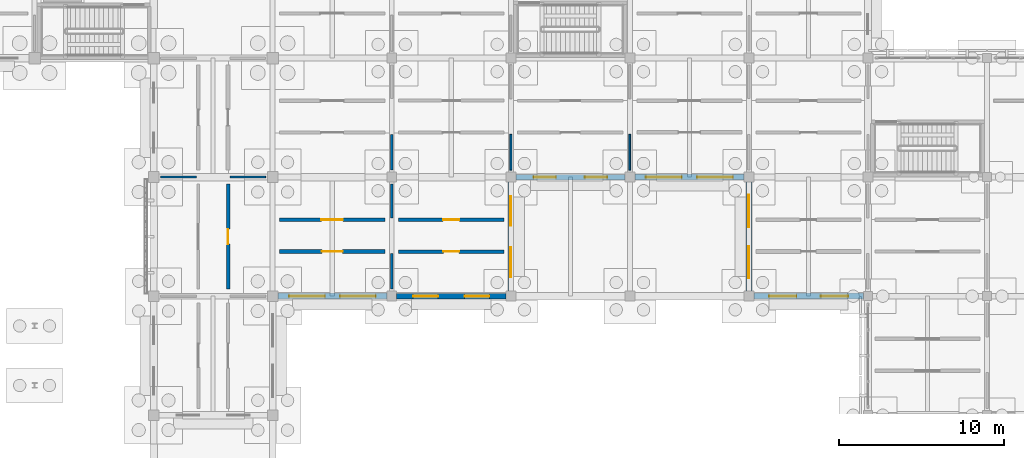
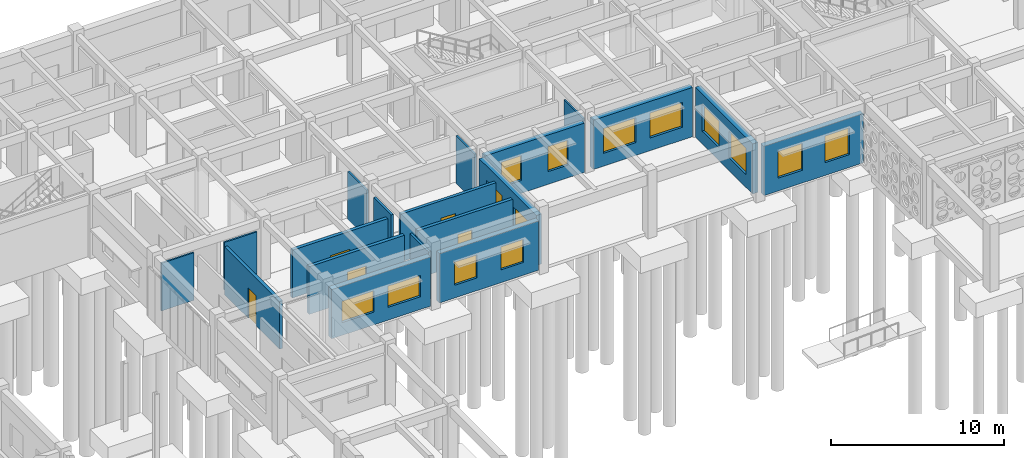
# One storey, part 67 of 111: 19 walls, 14 windows, 5 doors, 19 openings.
"""IFC4 building model written with IfcOpenShell, lengths in metres."""

from ifc_helpers import new_model, si_unit, direction, frame, frame_2d, origin, place, context, subcontext, project, spatial, rectangle, extrude, material, layer, layer_set, type_object, element, fill, save


model = new_model("IFC4")

# Units and contexts
model_context = context("Model", 3, precision=1e-05, world=origin(), true_north=direction((0.0, 1.0)))
body_context = subcontext(model_context, "Body", "Model", "MODEL_VIEW")
ifc_project = project(units=[si_unit("LENGTHUNIT", "METRE"), si_unit("AREAUNIT", "SQUARE_METRE"), si_unit("VOLUMEUNIT", "CUBIC_METRE"), si_unit("PLANEANGLEUNIT", "RADIAN"), si_unit("MASSUNIT", "GRAM", prefix="KILO")], contexts=[model_context])

# Site, building, storey
site_placement = place(None, origin())
site = spatial("IfcSite", under=ifc_project, at=site_placement, CompositionType="ELEMENT")
building_placement = place(site_placement, origin())
building = spatial("IfcBuilding", under=site, at=building_placement, Name="Aldebral Square Health Centre", CompositionType="ELEMENT")
storey_placement = place(building_placement, origin())
storey = spatial("IfcBuildingStorey", under=building, at=storey_placement, Name="L00", CompositionType="ELEMENT", Elevation=0.0)

# Wall, openings, windows
ifc_material_1 = material(Name="Cream cantera stone and concrete wall C35/45", Category="masonry")
ifc_layer_1 = layer(ifc_material_1, 0.340087890625, Name="Cream cantera stone and concrete wall C35/45", Category="masonry")
ifc_layer_set_1 = layer_set([ifc_layer_1], Name="Cream cantera stone and concrete wall C35/45")
wall_type_1 = type_object("IfcWallType", Name="EW-CAN-340", PredefinedType="SOLIDWALL", material=ifc_layer_set_1)
wall_1_placement = place(storey_placement, frame((36.300048828125, 86.39990234375, 0.0), z_axis=(0.0, 0.0, 1.0), x_axis=(1.0, 0.0, 0.0)))
wall_1 = element("IfcWall", 1, at=wall_1_placement, inside=storey, type_object=wall_type_1, Name="L00 V2 exterior wall L00-V2-05-12-S", PredefinedType="SOLIDWALL", context=body_context, shape_type="SweptSolid", body=[
    extrude(rectangle(XDim=6.599853515625, YDim=0.340087890625, at=frame_2d((3.2998046875, 0.0))), origin(), (0.0, 0.0, 1.0), 3.469970703125),
])
opening_1_placement = place(wall_1_placement, frame((1.0, 0.0, 0.89990234375)))
opening_1 = element("IfcOpeningElement", 2, at=opening_1_placement, cuts=wall_1, Name="Opening W32", PredefinedType="OPENING", context=body_context, shape_type="SweptSolid", body=[
    extrude(rectangle(XDim=1.5, YDim=1.6201171875, at=frame_2d((0.75, 0.81005859375))), frame((0.0, 0.18017578125, 0.0), z_axis=(0.0, -1.0, 0.0), x_axis=(1.0, 0.0, 0.0)), (0.0, 0.0, 1.0), 0.360107421875),
])
opening_2_placement = place(wall_1_placement, frame((4.10009765625, 0.0, 0.89990234375)))
opening_2 = element("IfcOpeningElement", 3, at=opening_2_placement, cuts=wall_1, Name="Opening W32", PredefinedType="OPENING", context=body_context, shape_type="SweptSolid", body=[
    extrude(rectangle(XDim=1.5, YDim=1.6201171875, at=frame_2d((0.75, 0.81005859375))), frame((0.0, 0.18017578125, 0.0), z_axis=(0.0, -1.0, 0.0), x_axis=(1.0, 0.0, 0.0)), (0.0, 0.0, 1.0), 0.360107421875),
])
ifc_material_2 = material(Name="Thermally broken aluminium and low-E glass", Category="aluminium")
window_type_1 = type_object("IfcWindowType", Name="WIN-W32", PartitioningType="SINGLE_PANEL", PredefinedType="WINDOW", material=ifc_material_2)
window_1_placement = place(opening_1_placement, origin())
window_1 = element("IfcWindow", 4, at=window_1_placement, inside=storey, type_object=window_type_1, Name="L00 clinical window L00-V2-05-12-S.1", OverallHeight=1.6201171875, OverallWidth=1.5, PartitioningType="SINGLE_PANEL", PredefinedType="WINDOW", context=body_context, shape_type="SweptSolid", body=[
    extrude(rectangle(XDim=1.5, YDim=1.6201171875, at=frame_2d((0.75, 0.81005859375))), frame((0.0, 0.030029296875, 0.0), z_axis=(0.0, -1.0, 0.0), x_axis=(1.0, 0.0, 0.0)), (0.0, 0.0, 1.0), 0.06005859375),
])
fill(opening_1, window_1)
window_2_placement = place(opening_2_placement, origin())
window_2 = element("IfcWindow", 5, at=window_2_placement, inside=storey, type_object=window_type_1, Name="L00 clinical window L00-V2-05-12-S.2", OverallHeight=1.6201171875, OverallWidth=1.5, PartitioningType="SINGLE_PANEL", PredefinedType="WINDOW", context=body_context, shape_type="SweptSolid", body=[
    extrude(rectangle(XDim=1.5, YDim=1.6201171875, at=frame_2d((0.75, 0.81005859375))), frame((0.0, 0.030029296875, 0.0), z_axis=(0.0, -1.0, 0.0), x_axis=(1.0, 0.0, 0.0)), (0.0, 0.0, 1.0), 0.06005859375),
])
fill(opening_2, window_2)

wall_2_placement = place(storey_placement, frame((43.199951171875, 86.699951171875, 0.0), z_axis=(0.0, 0.0, 1.0), x_axis=(0.0, 1.0, 0.0)))
wall_2 = element("IfcWall", 6, at=wall_2_placement, inside=storey, type_object=wall_type_1, Name="L00 V2 exterior wall L00-V2-05-12-E", PredefinedType="SOLIDWALL", context=body_context, shape_type="SweptSolid", body=[
    extrude(rectangle(XDim=6.60009765625, YDim=0.340087890625, at=frame_2d((3.300048828125, 0.0))), origin(), (0.0, 0.0, 1.0), 3.52001953125),
])
opening_3_placement = place(wall_2_placement, frame((0.85009765625, 0.0, 0.89990234375)))
opening_3 = element("IfcOpeningElement", 7, at=opening_3_placement, cuts=wall_2, Name="Opening W34", PredefinedType="OPENING", context=body_context, shape_type="SweptSolid", body=[
    extrude(rectangle(XDim=1.800048828125, YDim=1.6201171875, at=frame_2d((0.89990234375, 0.81005859375))), frame((0.0, 0.18017578125, 0.0), z_axis=(0.0, -1.0, 0.0), x_axis=(1.0, 0.0, 0.0)), (0.0, 0.0, 1.0), 0.360107421875),
])
opening_4_placement = place(wall_2_placement, frame((3.949951171875, 0.0, 0.89990234375)))
opening_4 = element("IfcOpeningElement", 8, at=opening_4_placement, cuts=wall_2, Name="Opening W34", PredefinedType="OPENING", context=body_context, shape_type="SweptSolid", body=[
    extrude(rectangle(XDim=1.800048828125, YDim=1.6201171875, at=frame_2d((0.89990234375, 0.81005859375))), frame((0.0, 0.18017578125, 0.0), z_axis=(0.0, -1.0, 0.0), x_axis=(1.0, 0.0, 0.0)), (0.0, 0.0, 1.0), 0.360107421875),
])
window_type_2 = type_object("IfcWindowType", Name="WIN-W34", PartitioningType="SINGLE_PANEL", PredefinedType="WINDOW", material=ifc_material_2)
window_3_placement = place(opening_3_placement, origin())
window_3 = element("IfcWindow", 9, at=window_3_placement, inside=storey, type_object=window_type_2, Name="L00 clinical window L00-V2-05-12-E.1", OverallHeight=1.6201171875, OverallWidth=1.800048828125, PartitioningType="SINGLE_PANEL", PredefinedType="WINDOW", context=body_context, shape_type="SweptSolid", body=[
    extrude(rectangle(XDim=1.800048828125, YDim=1.6201171875, at=frame_2d((0.89990234375, 0.81005859375))), frame((0.0, 0.030029296875, 0.0), z_axis=(0.0, -1.0, 0.0), x_axis=(1.0, 0.0, 0.0)), (0.0, 0.0, 1.0), 0.06005859375),
])
fill(opening_3, window_3)
window_4_placement = place(opening_4_placement, origin())
window_4 = element("IfcWindow", 10, at=window_4_placement, inside=storey, type_object=window_type_2, Name="L00 clinical window L00-V2-05-12-E.2", OverallHeight=1.6201171875, OverallWidth=1.800048828125, PartitioningType="SINGLE_PANEL", PredefinedType="WINDOW", context=body_context, shape_type="SweptSolid", body=[
    extrude(rectangle(XDim=1.800048828125, YDim=1.6201171875, at=frame_2d((0.89990234375, 0.81005859375))), frame((0.0, 0.030029296875, 0.0), z_axis=(0.0, -1.0, 0.0), x_axis=(1.0, 0.0, 0.0)), (0.0, 0.0, 1.0), 0.06005859375),
])
fill(opening_4, window_4)

wall_3_placement = place(storey_placement, frame((43.5, 93.60009765625, 0.0), z_axis=(0.0, 0.0, 1.0), x_axis=(1.0, 0.0, 0.0)))
wall_3 = element("IfcWall", 11, at=wall_3_placement, inside=storey, type_object=wall_type_1, Name="L00 V2 exterior wall L00-V2-06-13-S", PredefinedType="SOLIDWALL", context=body_context, shape_type="SweptSolid", body=[
    extrude(rectangle(XDim=6.60009765625, YDim=0.340087890625, at=frame_2d((3.300048828125, 0.0))), origin(), (0.0, 0.0, 1.0), 3.469970703125),
])
opening_5_placement = place(wall_3_placement, frame((1.074951171875, 0.0, 0.89990234375)))
opening_5 = element("IfcOpeningElement", 12, at=opening_5_placement, cuts=wall_3, Name="Opening W40", PredefinedType="OPENING", context=body_context, shape_type="SweptSolid", body=[
    extrude(rectangle(XDim=1.35009765625, YDim=1.75, at=frame_2d((0.675048828125, 0.875))), frame((0.0, 0.18017578125, 0.0), z_axis=(0.0, -1.0, 0.0), x_axis=(1.0, 0.0, 0.0)), (0.0, 0.0, 1.0), 0.360107421875),
])
opening_6_placement = place(wall_3_placement, frame((4.175048828125, 0.0, 0.89990234375)))
opening_6 = element("IfcOpeningElement", 13, at=opening_6_placement, cuts=wall_3, Name="Opening W40", PredefinedType="OPENING", context=body_context, shape_type="SweptSolid", body=[
    extrude(rectangle(XDim=1.35009765625, YDim=1.75, at=frame_2d((0.675048828125, 0.875))), frame((0.0, 0.18017578125, 0.0), z_axis=(0.0, -1.0, 0.0), x_axis=(1.0, 0.0, 0.0)), (0.0, 0.0, 1.0), 0.360107421875),
])
window_type_3 = type_object("IfcWindowType", Name="WIN-W40", PartitioningType="SINGLE_PANEL", PredefinedType="WINDOW", material=ifc_material_2)
window_5_placement = place(opening_5_placement, origin())
window_5 = element("IfcWindow", 14, at=window_5_placement, inside=storey, type_object=window_type_3, Name="L00 clinical window L00-V2-06-13-S.1", OverallHeight=1.75, OverallWidth=1.35009765625, PartitioningType="SINGLE_PANEL", PredefinedType="WINDOW", context=body_context, shape_type="SweptSolid", body=[
    extrude(rectangle(XDim=1.35009765625, YDim=1.75, at=frame_2d((0.675048828125, 0.875))), frame((0.0, 0.030029296875, 0.0), z_axis=(0.0, -1.0, 0.0), x_axis=(1.0, 0.0, 0.0)), (0.0, 0.0, 1.0), 0.06005859375),
])
fill(opening_5, window_5)
window_6_placement = place(opening_6_placement, origin())
window_6 = element("IfcWindow", 15, at=window_6_placement, inside=storey, type_object=window_type_3, Name="L00 clinical window L00-V2-06-13-S.2", OverallHeight=1.75, OverallWidth=1.35009765625, PartitioningType="SINGLE_PANEL", PredefinedType="WINDOW", context=body_context, shape_type="SweptSolid", body=[
    extrude(rectangle(XDim=1.35009765625, YDim=1.75, at=frame_2d((0.675048828125, 0.875))), frame((0.0, 0.030029296875, 0.0), z_axis=(0.0, -1.0, 0.0), x_axis=(1.0, 0.0, 0.0)), (0.0, 0.0, 1.0), 0.06005859375),
])
fill(opening_6, window_6)

ifc_layer_2 = layer(ifc_material_1, 0.360107421875, Name="Cream cantera stone and concrete wall C35/45", Category="masonry")
ifc_layer_set_2 = layer_set([ifc_layer_2], Name="Cream cantera stone and concrete wall C35/45")
wall_type_2 = type_object("IfcWallType", Name="EW-CAN-360", PredefinedType="SOLIDWALL", material=ifc_layer_set_2)
wall_4_placement = place(storey_placement, frame((29.125, 86.39990234375, 0.0), z_axis=(0.0, 0.0, 1.0), x_axis=(1.0, 0.0, 0.0)))
wall_4 = element("IfcWall", 16, at=wall_4_placement, inside=storey, type_object=wall_type_2, Name="L00 V2 exterior wall L00-V2-04-12-S", PredefinedType="SOLIDWALL", context=body_context, shape_type="SweptSolid", body=[
    extrude(rectangle(XDim=6.574951171875, YDim=0.360107421875, at=frame_2d((3.28759765625, 0.0))), origin(), (0.0, 0.0, 1.0), 3.469970703125),
])
opening_7_placement = place(wall_4_placement, frame((0.675048828125, 0.0, 0.89990234375)))
opening_7 = element("IfcOpeningElement", 17, at=opening_7_placement, cuts=wall_4, Name="Opening W27", PredefinedType="OPENING", context=body_context, shape_type="SweptSolid", body=[
    extrude(rectangle(XDim=2.14990234375, YDim=1.5, at=frame_2d((1.074951171875, 0.75))), frame((0.0, 0.18994140625, 0.0), z_axis=(0.0, -1.0, 0.0), x_axis=(1.0, 0.0, 0.0)), (0.0, 0.0, 1.0), 0.380126953125),
])
opening_8_placement = place(wall_4_placement, frame((3.75, 0.0, 0.89990234375)))
opening_8 = element("IfcOpeningElement", 18, at=opening_8_placement, cuts=wall_4, Name="Opening W27", PredefinedType="OPENING", context=body_context, shape_type="SweptSolid", body=[
    extrude(rectangle(XDim=2.14990234375, YDim=1.5, at=frame_2d((1.074951171875, 0.75))), frame((0.0, 0.18994140625, 0.0), z_axis=(0.0, -1.0, 0.0), x_axis=(1.0, 0.0, 0.0)), (0.0, 0.0, 1.0), 0.380126953125),
])
window_type_4 = type_object("IfcWindowType", Name="WIN-W27", PartitioningType="SINGLE_PANEL", PredefinedType="WINDOW", material=ifc_material_2)
window_7_placement = place(opening_7_placement, origin())
window_7 = element("IfcWindow", 19, at=window_7_placement, inside=storey, type_object=window_type_4, Name="L00 clinical window L00-V2-04-12-S.1", OverallHeight=1.5, OverallWidth=2.14990234375, PartitioningType="SINGLE_PANEL", PredefinedType="WINDOW", context=body_context, shape_type="SweptSolid", body=[
    extrude(rectangle(XDim=2.14990234375, YDim=1.5, at=frame_2d((1.074951171875, 0.75))), frame((0.0, 0.030029296875, 0.0), z_axis=(0.0, -1.0, 0.0), x_axis=(1.0, 0.0, 0.0)), (0.0, 0.0, 1.0), 0.06005859375),
])
fill(opening_7, window_7)
window_8_placement = place(opening_8_placement, origin())
window_8 = element("IfcWindow", 20, at=window_8_placement, inside=storey, type_object=window_type_4, Name="L00 clinical window L00-V2-04-12-S.2", OverallHeight=1.5, OverallWidth=2.14990234375, PartitioningType="SINGLE_PANEL", PredefinedType="WINDOW", context=body_context, shape_type="SweptSolid", body=[
    extrude(rectangle(XDim=2.14990234375, YDim=1.5, at=frame_2d((1.074951171875, 0.75))), frame((0.0, 0.030029296875, 0.0), z_axis=(0.0, -1.0, 0.0), x_axis=(1.0, 0.0, 0.0)), (0.0, 0.0, 1.0), 0.06005859375),
])
fill(opening_8, window_8)

wall_5_placement = place(storey_placement, frame((50.699951171875, 93.60009765625, 0.0), z_axis=(0.0, 0.0, 1.0), x_axis=(1.0, 0.0, 0.0)))
wall_5 = element("IfcWall", 21, at=wall_5_placement, inside=storey, type_object=wall_type_2, Name="L00 V2 exterior wall L00-V2-07-13-S", PredefinedType="SOLIDWALL", context=body_context, shape_type="SweptSolid", body=[
    extrude(rectangle(XDim=6.60009765625, YDim=0.360107421875, at=frame_2d((3.300048828125, 0.0))), origin(), (0.0, 0.0, 1.0), 3.469970703125),
])
opening_9_placement = place(wall_5_placement, frame((0.675048828125, 0.0, 0.89990234375)))
opening_9 = element("IfcOpeningElement", 22, at=opening_9_placement, cuts=wall_5, Name="Opening W45", PredefinedType="OPENING", context=body_context, shape_type="SweptSolid", body=[
    extrude(rectangle(XDim=2.14990234375, YDim=1.75, at=frame_2d((1.074951171875, 0.875))), frame((0.0, 0.18994140625, 0.0), z_axis=(0.0, -1.0, 0.0), x_axis=(1.0, 0.0, 0.0)), (0.0, 0.0, 1.0), 0.380126953125),
])
opening_10_placement = place(wall_5_placement, frame((3.77490234375, 0.0, 0.89990234375)))
opening_10 = element("IfcOpeningElement", 23, at=opening_10_placement, cuts=wall_5, Name="Opening W45", PredefinedType="OPENING", context=body_context, shape_type="SweptSolid", body=[
    extrude(rectangle(XDim=2.14990234375, YDim=1.75, at=frame_2d((1.074951171875, 0.875))), frame((0.0, 0.18994140625, 0.0), z_axis=(0.0, -1.0, 0.0), x_axis=(1.0, 0.0, 0.0)), (0.0, 0.0, 1.0), 0.380126953125),
])
window_type_5 = type_object("IfcWindowType", Name="WIN-W45", PartitioningType="SINGLE_PANEL", PredefinedType="WINDOW", material=ifc_material_2)
window_9_placement = place(opening_9_placement, origin())
window_9 = element("IfcWindow", 24, at=window_9_placement, inside=storey, type_object=window_type_5, Name="L00 clinical window L00-V2-07-13-S.1", OverallHeight=1.75, OverallWidth=2.14990234375, PartitioningType="SINGLE_PANEL", PredefinedType="WINDOW", context=body_context, shape_type="SweptSolid", body=[
    extrude(rectangle(XDim=2.14990234375, YDim=1.75, at=frame_2d((1.074951171875, 0.875))), frame((0.0, 0.030029296875, 0.0), z_axis=(0.0, -1.0, 0.0), x_axis=(1.0, 0.0, 0.0)), (0.0, 0.0, 1.0), 0.06005859375),
])
fill(opening_9, window_9)
window_10_placement = place(opening_10_placement, origin())
window_10 = element("IfcWindow", 25, at=window_10_placement, inside=storey, type_object=window_type_5, Name="L00 clinical window L00-V2-07-13-S.2", OverallHeight=1.75, OverallWidth=2.14990234375, PartitioningType="SINGLE_PANEL", PredefinedType="WINDOW", context=body_context, shape_type="SweptSolid", body=[
    extrude(rectangle(XDim=2.14990234375, YDim=1.75, at=frame_2d((1.074951171875, 0.875))), frame((0.0, 0.030029296875, 0.0), z_axis=(0.0, -1.0, 0.0), x_axis=(1.0, 0.0, 0.0)), (0.0, 0.0, 1.0), 0.06005859375),
])
fill(opening_10, window_10)

wall_6_placement = place(storey_placement, frame((57.89990234375, 86.39990234375, 0.0), z_axis=(0.0, 0.0, 1.0), x_axis=(1.0, 0.0, 0.0)))
wall_6 = element("IfcWall", 26, at=wall_6_placement, inside=storey, type_object=wall_type_2, Name="L00 V2 exterior wall L00-V2-08-12-S", PredefinedType="SOLIDWALL", context=body_context, shape_type="SweptSolid", body=[
    extrude(rectangle(XDim=6.625, YDim=0.360107421875, at=frame_2d((3.3125, 0.0))), origin(), (0.0, 0.0, 1.0), 3.469970703125),
])
opening_11_placement = place(wall_6_placement, frame((0.925048828125, 0.0, 0.89990234375)))
opening_11 = element("IfcOpeningElement", 27, at=opening_11_placement, cuts=wall_6, Name="Opening W51", PredefinedType="OPENING", context=body_context, shape_type="SweptSolid", body=[
    extrude(rectangle(XDim=1.64990234375, YDim=1.8798828125, at=frame_2d((0.824951171875, 0.93994140625))), frame((0.0, 0.18994140625, 0.0), z_axis=(0.0, -1.0, 0.0), x_axis=(1.0, 0.0, 0.0)), (0.0, 0.0, 1.0), 0.380126953125),
])
opening_12_placement = place(wall_6_placement, frame((4.050048828125, 0.0, 0.89990234375)))
opening_12 = element("IfcOpeningElement", 28, at=opening_12_placement, cuts=wall_6, Name="Opening W51", PredefinedType="OPENING", context=body_context, shape_type="SweptSolid", body=[
    extrude(rectangle(XDim=1.64990234375, YDim=1.8798828125, at=frame_2d((0.824951171875, 0.93994140625))), frame((0.0, 0.18994140625, 0.0), z_axis=(0.0, -1.0, 0.0), x_axis=(1.0, 0.0, 0.0)), (0.0, 0.0, 1.0), 0.380126953125),
])
window_type_6 = type_object("IfcWindowType", Name="WIN-W51", PartitioningType="SINGLE_PANEL", PredefinedType="WINDOW", material=ifc_material_2)
window_11_placement = place(opening_11_placement, origin())
window_11 = element("IfcWindow", 29, at=window_11_placement, inside=storey, type_object=window_type_6, Name="L00 clinical window L00-V2-08-12-S.1", OverallHeight=1.8798828125, OverallWidth=1.64990234375, PartitioningType="SINGLE_PANEL", PredefinedType="WINDOW", context=body_context, shape_type="SweptSolid", body=[
    extrude(rectangle(XDim=1.64990234375, YDim=1.8798828125, at=frame_2d((0.824951171875, 0.93994140625))), frame((0.0, 0.030029296875, 0.0), z_axis=(0.0, -1.0, 0.0), x_axis=(1.0, 0.0, 0.0)), (0.0, 0.0, 1.0), 0.06005859375),
])
fill(opening_11, window_11)
window_12_placement = place(opening_12_placement, origin())
window_12 = element("IfcWindow", 30, at=window_12_placement, inside=storey, type_object=window_type_6, Name="L00 clinical window L00-V2-08-12-S.2", OverallHeight=1.8798828125, OverallWidth=1.64990234375, PartitioningType="SINGLE_PANEL", PredefinedType="WINDOW", context=body_context, shape_type="SweptSolid", body=[
    extrude(rectangle(XDim=1.64990234375, YDim=1.8798828125, at=frame_2d((0.824951171875, 0.93994140625))), frame((0.0, 0.030029296875, 0.0), z_axis=(0.0, -1.0, 0.0), x_axis=(1.0, 0.0, 0.0)), (0.0, 0.0, 1.0), 0.06005859375),
])
fill(opening_12, window_12)

wall_7_placement = place(storey_placement, frame((57.60009765625, 93.300048828125, 0.0), z_axis=(0.0, 0.0, 1.0), x_axis=(0.0, -1.0, 0.0)))
wall_7 = element("IfcWall", 31, at=wall_7_placement, inside=storey, type_object=wall_type_2, Name="L00 V2 exterior wall L00-V2-08-12-W", PredefinedType="SOLIDWALL", context=body_context, shape_type="SweptSolid", body=[
    extrude(rectangle(XDim=6.60009765625, YDim=0.360107421875, at=frame_2d((3.300048828125, 0.0))), origin(), (0.0, 0.0, 1.0), 3.52001953125),
])
opening_13_placement = place(wall_7_placement, frame((0.77490234375, 0.0, 0.89990234375)))
opening_13 = element("IfcOpeningElement", 32, at=opening_13_placement, cuts=wall_7, Name="Opening W53", PredefinedType="OPENING", context=body_context, shape_type="SweptSolid", body=[
    extrude(rectangle(XDim=1.949951171875, YDim=1.8798828125, at=frame_2d((0.97509765625, 0.93994140625))), frame((0.0, 0.18994140625, 0.0), z_axis=(0.0, -1.0, 0.0), x_axis=(1.0, 0.0, 0.0)), (0.0, 0.0, 1.0), 0.380126953125),
])
opening_14_placement = place(wall_7_placement, frame((3.875, 0.0, 0.89990234375)))
opening_14 = element("IfcOpeningElement", 33, at=opening_14_placement, cuts=wall_7, Name="Opening W53", PredefinedType="OPENING", context=body_context, shape_type="SweptSolid", body=[
    extrude(rectangle(XDim=1.949951171875, YDim=1.8798828125, at=frame_2d((0.97509765625, 0.93994140625))), frame((0.0, 0.18994140625, 0.0), z_axis=(0.0, -1.0, 0.0), x_axis=(1.0, 0.0, 0.0)), (0.0, 0.0, 1.0), 0.380126953125),
])
window_type_7 = type_object("IfcWindowType", Name="WIN-W53", PartitioningType="SINGLE_PANEL", PredefinedType="WINDOW", material=ifc_material_2)
window_13_placement = place(opening_13_placement, origin())
window_13 = element("IfcWindow", 34, at=window_13_placement, inside=storey, type_object=window_type_7, Name="L00 clinical window L00-V2-08-12-W.1", OverallHeight=1.8798828125, OverallWidth=1.949951171875, PartitioningType="SINGLE_PANEL", PredefinedType="WINDOW", context=body_context, shape_type="SweptSolid", body=[
    extrude(rectangle(XDim=1.949951171875, YDim=1.8798828125, at=frame_2d((0.97509765625, 0.93994140625))), frame((0.0, 0.030029296875, 0.0), z_axis=(0.0, -1.0, 0.0), x_axis=(1.0, 0.0, 0.0)), (0.0, 0.0, 1.0), 0.06005859375),
])
fill(opening_13, window_13)
window_14_placement = place(opening_14_placement, origin())
window_14 = element("IfcWindow", 35, at=window_14_placement, inside=storey, type_object=window_type_7, Name="L00 clinical window L00-V2-08-12-W.2", OverallHeight=1.8798828125, OverallWidth=1.949951171875, PartitioningType="SINGLE_PANEL", PredefinedType="WINDOW", context=body_context, shape_type="SweptSolid", body=[
    extrude(rectangle(XDim=1.949951171875, YDim=1.8798828125, at=frame_2d((0.97509765625, 0.93994140625))), frame((0.0, 0.030029296875, 0.0), z_axis=(0.0, -1.0, 0.0), x_axis=(1.0, 0.0, 0.0)), (0.0, 0.0, 1.0), 0.06005859375),
])
fill(opening_14, window_14)

# Wall, opening, door
ifc_material_3 = material(Name="Concrete C35/45 compartment wall", Category="concrete")
ifc_layer_3 = layer(ifc_material_3, 0.199951171875, Name="Concrete C35/45 compartment wall", Category="concrete")
ifc_layer_set_3 = layer_set([ifc_layer_3], Name="Concrete C35/45 compartment wall")
wall_type_3 = type_object("IfcWallType", Name="IW-CMP-200", PredefinedType="SOLIDWALL", material=ifc_layer_set_3)
wall_8_placement = place(storey_placement, frame((36.419921875, 91.02001953125, 0.0), z_axis=(0.0, 0.0, 1.0), x_axis=(1.0, 0.0, 0.0)))
wall_8 = element("IfcWall", 36, at=wall_8_placement, inside=storey, type_object=wall_type_3, Name="L00 Clinical Laboratory 6.13N corridor wall", PredefinedType="SOLIDWALL", context=body_context, shape_type="SweptSolid", body=[
    extrude(rectangle(XDim=6.360107421875, YDim=0.199951171875, at=frame_2d((3.18017578125, 0.0))), origin(), (0.0, 0.0, 1.0), 3.360107421875),
])
opening_15_placement = place(wall_8_placement, frame((2.68994140625, 0.0, 0.0)))
opening_15 = element("IfcOpeningElement", 37, at=opening_15_placement, cuts=wall_8, Name="Opening D-FD60-39", PredefinedType="OPENING", context=body_context, shape_type="SweptSolid", body=[
    extrude(rectangle(XDim=0.97998046875, YDim=2.139892578125, at=frame_2d((0.489990234375, 1.06982421875))), frame((0.0, 0.10986328125, 0.0), z_axis=(0.0, -1.0, 0.0), x_axis=(1.0, 0.0, 0.0)), (0.0, 0.0, 1.0), 0.219970703125),
])
ifc_material_4 = material(Name="Clinical suite fire door")
door_type_1 = type_object("IfcDoorType", Name="ID-EXD-34", OperationType="NOTDEFINED", PredefinedType="DOOR", material=ifc_material_4)
door_1_placement = place(opening_15_placement, origin())
door_1 = element("IfcDoor", 38, at=door_1_placement, inside=storey, type_object=door_type_1, Name="L00 Clinical Laboratory 6.13N door", OperationType="SINGLE_SWING_RIGHT", OverallHeight=2.139892578125, OverallWidth=0.97998046875, PredefinedType="DOOR", context=body_context, shape_type="SweptSolid", body=[
    extrude(rectangle(XDim=0.97998046875, YDim=2.139892578125, at=frame_2d((0.489990234375, 1.06982421875))), frame((0.0, 0.02490234375, 0.0), z_axis=(0.0, -1.0, 0.0), x_axis=(1.0, 0.0, 0.0)), (0.0, 0.0, 1.0), 0.050048828125),
])
fill(opening_15, door_1)

ifc_layer_4 = layer(ifc_material_3, 0.219970703125, Name="Concrete C35/45 compartment wall", Category="concrete")
ifc_layer_set_4 = layer_set([ifc_layer_4], Name="Concrete C35/45 compartment wall")
wall_type_4 = type_object("IfcWallType", Name="IW-CMP-220", PredefinedType="SOLIDWALL", material=ifc_layer_set_4)
wall_9_placement = place(storey_placement, frame((29.219970703125, 89.10009765625, 0.0), z_axis=(0.0, 0.0, 1.0), x_axis=(1.0, 0.0, 0.0)))
wall_9 = element("IfcWall", 39, at=wall_9_placement, inside=storey, type_object=wall_type_4, Name="L00 Clinical Laboratory 5.13S corridor wall", PredefinedType="SOLIDWALL", context=body_context, shape_type="SweptSolid", body=[
    extrude(rectangle(XDim=6.360107421875, YDim=0.219970703125, at=frame_2d((3.18017578125, 0.0))), origin(), (0.0, 0.0, 1.0), 3.360107421875),
])
opening_16_placement = place(wall_9_placement, frame((2.550048828125, 0.0, 0.0)))
opening_16 = element("IfcOpeningElement", 40, at=opening_16_placement, cuts=wall_9, Name="Opening D-FD60-30", PredefinedType="OPENING", context=body_context, shape_type="SweptSolid", body=[
    extrude(rectangle(XDim=1.260009765625, YDim=2.090087890625, at=frame_2d((0.6298828125, 1.044921875))), frame((0.0, 0.1201171875, 0.0), z_axis=(0.0, -1.0, 0.0), x_axis=(1.0, 0.0, 0.0)), (0.0, 0.0, 1.0), 0.239990234375),
])
door_type_2 = type_object("IfcDoorType", Name="ID-EXD-25", OperationType="NOTDEFINED", PredefinedType="DOOR", material=ifc_material_4)
door_2_placement = place(opening_16_placement, origin())
door_2 = element("IfcDoor", 41, at=door_2_placement, inside=storey, type_object=door_type_2, Name="L00 Clinical Laboratory 5.13S door", OperationType="SINGLE_SWING_LEFT", OverallHeight=2.090087890625, OverallWidth=1.260009765625, PredefinedType="DOOR", context=body_context, shape_type="SweptSolid", body=[
    extrude(rectangle(XDim=1.260009765625, YDim=2.090087890625, at=frame_2d((0.6298828125, 1.044921875))), frame((0.0, 0.02490234375, 0.0), z_axis=(0.0, -1.0, 0.0), x_axis=(1.0, 0.0, 0.0)), (0.0, 0.0, 1.0), 0.050048828125),
])
fill(opening_16, door_2)

wall_10_placement = place(storey_placement, frame((29.219970703125, 91.02001953125, 0.0), z_axis=(0.0, 0.0, 1.0), x_axis=(1.0, 0.0, 0.0)))
wall_10 = element("IfcWall", 42, at=wall_10_placement, inside=storey, type_object=wall_type_4, Name="L00 Phlebotomy Suite 5.13N corridor wall", PredefinedType="SOLIDWALL", context=body_context, shape_type="SweptSolid", body=[
    extrude(rectangle(XDim=6.360107421875, YDim=0.219970703125, at=frame_2d((3.18017578125, 0.0))), origin(), (0.0, 0.0, 1.0), 3.360107421875),
])
opening_17_placement = place(wall_10_placement, frame((2.530029296875, 0.0, 0.0)))
opening_17 = element("IfcOpeningElement", 43, at=opening_17_placement, cuts=wall_10, Name="Opening D-FD60-31", PredefinedType="OPENING", context=body_context, shape_type="SweptSolid", body=[
    extrude(rectangle(XDim=1.300048828125, YDim=2.090087890625, at=frame_2d((0.64990234375, 1.044921875))), frame((0.0, 0.1201171875, 0.0), z_axis=(0.0, -1.0, 0.0), x_axis=(1.0, 0.0, 0.0)), (0.0, 0.0, 1.0), 0.239990234375),
])
door_type_3 = type_object("IfcDoorType", Name="ID-EXD-26", OperationType="NOTDEFINED", PredefinedType="DOOR", material=ifc_material_4)
door_3_placement = place(opening_17_placement, origin())
door_3 = element("IfcDoor", 44, at=door_3_placement, inside=storey, type_object=door_type_3, Name="L00 Phlebotomy Suite 5.13N door", OperationType="SINGLE_SWING_RIGHT", OverallHeight=2.090087890625, OverallWidth=1.300048828125, PredefinedType="DOOR", context=body_context, shape_type="SweptSolid", body=[
    extrude(rectangle(XDim=1.300048828125, YDim=2.090087890625, at=frame_2d((0.64990234375, 1.044921875))), frame((0.0, 0.02490234375, 0.0), z_axis=(0.0, -1.0, 0.0), x_axis=(1.0, 0.0, 0.0)), (0.0, 0.0, 1.0), 0.050048828125),
])
fill(opening_17, door_3)

ifc_material_5 = material(Name="Moisture-resistant sanitary chase wall")
ifc_layer_5 = layer(ifc_material_5, 0.2099609375, Name="Moisture-resistant sanitary chase wall")
ifc_layer_set_5 = layer_set([ifc_layer_5], Name="Moisture-resistant sanitary chase wall")
wall_type_5 = type_object("IfcWallType", Name="IW-PLB-210", PredefinedType="PLUMBINGWALL", material=ifc_layer_set_5)
wall_11_placement = place(storey_placement, frame((36.419921875, 89.10009765625, 0.0), z_axis=(0.0, 0.0, 1.0), x_axis=(1.0, 0.0, 0.0)))
wall_11 = element("IfcWall", 45, at=wall_11_placement, inside=storey, type_object=wall_type_5, Name="L00 Accessible WC 6.13S corridor wall", PredefinedType="PLUMBINGWALL", context=body_context, shape_type="SweptSolid", body=[
    extrude(rectangle(XDim=6.360107421875, YDim=0.2099609375, at=frame_2d((3.18017578125, 0.0))), origin(), (0.0, 0.0, 1.0), 3.360107421875),
])
opening_18_placement = place(wall_11_placement, frame((2.7099609375, 0.0, 0.0)))
opening_18 = element("IfcOpeningElement", 46, at=opening_18_placement, cuts=wall_11, Name="Opening D-FD60-38", PredefinedType="OPENING", context=body_context, shape_type="SweptSolid", body=[
    extrude(rectangle(XDim=0.93994140625, YDim=2.139892578125, at=frame_2d((0.469970703125, 1.06982421875))), frame((0.0, 0.114990234375, 0.0), z_axis=(0.0, -1.0, 0.0), x_axis=(1.0, 0.0, 0.0)), (0.0, 0.0, 1.0), 0.22998046875),
])
door_type_4 = type_object("IfcDoorType", Name="ID-EXD-33", OperationType="NOTDEFINED", PredefinedType="DOOR", material=ifc_material_4)
door_4_placement = place(opening_18_placement, origin())
door_4 = element("IfcDoor", 47, at=door_4_placement, inside=storey, type_object=door_type_4, Name="L00 Accessible WC 6.13S door", OperationType="SINGLE_SWING_LEFT", OverallHeight=2.139892578125, OverallWidth=0.93994140625, PredefinedType="DOOR", context=body_context, shape_type="SweptSolid", body=[
    extrude(rectangle(XDim=0.93994140625, YDim=2.139892578125, at=frame_2d((0.469970703125, 1.06982421875))), frame((0.0, 0.02490234375, 0.0), z_axis=(0.0, -1.0, 0.0), x_axis=(1.0, 0.0, 0.0)), (0.0, 0.0, 1.0), 0.050048828125),
])
fill(opening_18, door_4)

wall_12_placement = place(storey_placement, frame((26.10009765625, 86.820068359375, 0.0), z_axis=(0.0, 0.0, 1.0), x_axis=(0.0, 1.0, 0.0)))
wall_12 = element("IfcWall", 48, at=wall_12_placement, inside=storey, type_object=wall_type_5, Name="L00 Accessible WC 4.13E corridor wall", PredefinedType="PLUMBINGWALL", context=body_context, shape_type="SweptSolid", body=[
    extrude(rectangle(XDim=6.35986328125, YDim=0.2099609375, at=frame_2d((3.179931640625, 0.0))), origin(), (0.0, 0.0, 1.0), 3.360107421875),
])
opening_19_placement = place(wall_12_placement, frame((2.72998046875, 0.0, 0.0)))
opening_19 = element("IfcOpeningElement", 49, at=opening_19_placement, cuts=wall_12, Name="Opening D-0116", PredefinedType="OPENING", context=body_context, shape_type="SweptSolid", body=[
    extrude(rectangle(XDim=0.89990234375, YDim=2.139892578125, at=frame_2d((0.449951171875, 1.06982421875))), frame((0.0, 0.114990234375, 0.0), z_axis=(0.0, -1.0, 0.0), x_axis=(1.0, 0.0, 0.0)), (0.0, 0.0, 1.0), 0.22998046875),
])
door_type_5 = type_object("IfcDoorType", Name="ID-EXD-32", OperationType="NOTDEFINED", PredefinedType="DOOR", material=ifc_material_4)
door_5_placement = place(opening_19_placement, origin())
door_5 = element("IfcDoor", 50, at=door_5_placement, inside=storey, type_object=door_type_5, Name="L00 Accessible WC 4.13E door", OperationType="SINGLE_SWING_LEFT", OverallHeight=2.139892578125, OverallWidth=0.89990234375, PredefinedType="DOOR", context=body_context, shape_type="SweptSolid", body=[
    extrude(rectangle(XDim=0.89990234375, YDim=2.139892578125, at=frame_2d((0.449951171875, 1.06982421875))), frame((0.0, 0.02490234375, 0.0), z_axis=(0.0, -1.0, 0.0), x_axis=(1.0, 0.0, 0.0)), (0.0, 0.0, 1.0), 0.050048828125),
])
fill(opening_19, door_5)

# Walls
ifc_material_6 = material(Name="Lightweight clinical partition")
ifc_layer_6 = layer(ifc_material_6, 0.10498046875, Name="Lightweight clinical partition")
ifc_layer_set_6 = layer_set([ifc_layer_6], Name="Lightweight clinical partition")
wall_type_6 = type_object("IfcWallType", Name="IW-PRT-105", PredefinedType="PARTITIONING", material=ifc_layer_set_6)
for number, where, z_axis, x_axis, name in (
    (51, (50.39990234375, 94.02001953125, 0.0), (0.0, 0.0, 1.0), (0.0, 1.0, 0.0), "L00 Observation Bay 7.14S demising partition"),
    (52, (22.02001953125, 93.60009765625, 0.0), (0.0, 0.0, 1.0), (1.0, 0.0, 0.0), "L00 Clean Clinical Store 4.13W demising partition"),
    (53, (26.219970703125, 93.60009765625, 0.0), (0.0, 0.0, 1.0), (1.0, 0.0, 0.0), "L00 Accessible WC 4.13E demising partition"),
):
    element("IfcWall", number, at=place(storey_placement, frame(where, z_axis=z_axis, x_axis=x_axis)), inside=storey, type_object=wall_type_6, Name=name, PredefinedType="PARTITIONING", context=body_context, shape_type="SweptSolid", body=[
        extrude(rectangle(XDim=2.159912109375, YDim=0.10498046875, at=frame_2d((1.080078125, 0.0))), origin(), (0.0, 0.0, 1.0), 3.360107421875),
    ])
ifc_material_7 = material(Name="Acoustic clinical gypsum partition")
ifc_layer_7 = layer(ifc_material_7, 0.1201171875, Name="Acoustic clinical gypsum partition")
ifc_layer_set_7 = layer_set([ifc_layer_7], Name="Acoustic clinical gypsum partition")
wall_type_7 = type_object("IfcWallType", Name="IW-PRT-120", PredefinedType="PARTITIONING", material=ifc_layer_set_7)
wall_13_placement = place(storey_placement, frame((43.199951171875, 94.02001953125, 0.0), z_axis=(0.0, 0.0, 1.0), x_axis=(0.0, 1.0, 0.0)))
element("IfcWall", 54, at=wall_13_placement, inside=storey, type_object=wall_type_7, Name="L00 Phlebotomy Suite 6.14S demising partition", PredefinedType="PARTITIONING", context=body_context, shape_type="SweptSolid", body=[
    extrude(rectangle(XDim=2.159912109375, YDim=0.1201171875, at=frame_2d((1.080078125, 0.0))), origin(), (0.0, 0.0, 1.0), 3.360107421875),
])
ifc_layer_8 = layer(ifc_material_7, 0.135009765625, Name="Acoustic clinical gypsum partition")
ifc_layer_set_8 = layer_set([ifc_layer_8], Name="Acoustic clinical gypsum partition")
wall_type_8 = type_object("IfcWallType", Name="IW-PRT-135", PredefinedType="PARTITIONING", material=ifc_layer_set_8)
wall_14_placement = place(storey_placement, frame((36.0, 94.02001953125, 0.0), z_axis=(0.0, 0.0, 1.0), x_axis=(0.0, 1.0, 0.0)))
element("IfcWall", 55, at=wall_14_placement, inside=storey, type_object=wall_type_8, Name="L00 Microbiology Laboratory 5.14S demising partition", PredefinedType="PARTITIONING", context=body_context, shape_type="SweptSolid", body=[
    extrude(rectangle(XDim=2.159912109375, YDim=0.135009765625, at=frame_2d((1.080078125, 0.0))), origin(), (0.0, 0.0, 1.0), 3.360107421875),
])
ifc_layer_9 = layer(ifc_material_7, 0.14990234375, Name="Acoustic clinical gypsum partition")
ifc_layer_set_9 = layer_set([ifc_layer_9], Name="Acoustic clinical gypsum partition")
wall_type_9 = type_object("IfcWallType", Name="IW-PRT-150", PredefinedType="PARTITIONING", material=ifc_layer_set_9)
wall_15_placement = place(storey_placement, frame((36.0, 86.820068359375, 0.0), z_axis=(0.0, 0.0, 1.0), x_axis=(0.0, 1.0, 0.0)))
element("IfcWall", 56, at=wall_15_placement, inside=storey, type_object=wall_type_9, Name="L00 Clinical Laboratory 5.13S demising partition", PredefinedType="PARTITIONING", context=body_context, shape_type="SweptSolid", body=[
    extrude(rectangle(XDim=2.159912109375, YDim=0.14990234375, at=frame_2d((1.080078125, 0.0))), origin(), (0.0, 0.0, 1.0), 3.360107421875),
])
wall_16_placement = place(storey_placement, frame((36.0, 91.139892578125, 0.0), z_axis=(0.0, 0.0, 1.0), x_axis=(0.0, 1.0, 0.0)))
element("IfcWall", 57, at=wall_16_placement, inside=storey, type_object=wall_type_9, Name="L00 Phlebotomy Suite 5.13N demising partition", PredefinedType="PARTITIONING", context=body_context, shape_type="SweptSolid", body=[
    extrude(rectangle(XDim=2.0400390625, YDim=0.14990234375, at=frame_2d((1.02001953125, 0.0))), origin(), (0.0, 0.0, 1.0), 3.360107421875),
])

save(model, "model.ifc")
